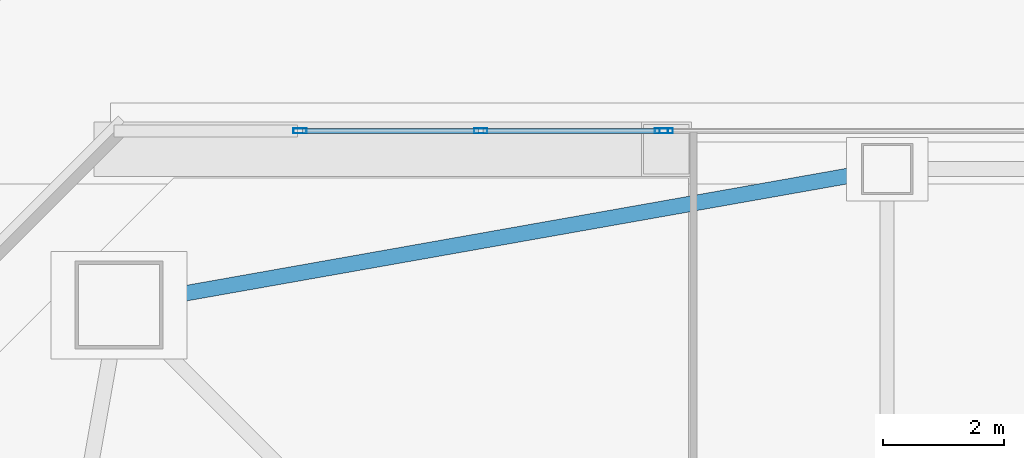
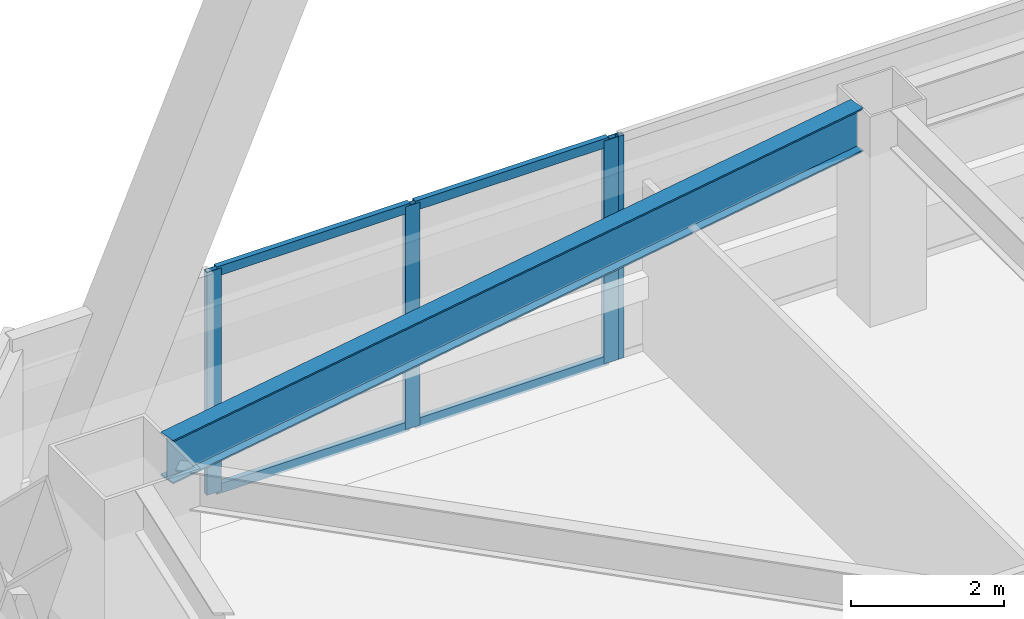
# One storey, part 23 of 67: 8 members, 1 beam, 2 elements without a shape of their own.
"""IFC4 building model written with IfcOpenShell, lengths in metres."""

from ifc_helpers import new_model, si_unit, direction, frame, origin, origin_2d, place, context, subcontext, project, spatial, hollow_rectangle, i_section, extrude, material, material_profile, profile_set, type_object, element, aggregate, save


model = new_model("IFC4")

# Units and contexts
model_context = context("Model", 3, precision=1e-05, world=origin(), true_north=direction((0.0, 1.0)))
body_context = subcontext(model_context, "Body", "Model", "MODEL_VIEW")
ifc_project = project(units=[si_unit("LENGTHUNIT", "METRE"), si_unit("AREAUNIT", "SQUARE_METRE"), si_unit("VOLUMEUNIT", "CUBIC_METRE"), si_unit("PLANEANGLEUNIT", "RADIAN"), si_unit("MASSUNIT", "GRAM", prefix="KILO")], contexts=[model_context])

# Site, building, storey
site_placement = place(None, origin())
site = spatial("IfcSite", under=ifc_project, at=site_placement, CompositionType="ELEMENT")
building_placement = place(site_placement, origin())
building = spatial("IfcBuilding", under=site, at=building_placement, Name="Tashvorn Skyway Center", CompositionType="ELEMENT")
storey_placement = place(building_placement, frame((0.0, 0.0, 67.199951171875)))
storey = spatial("IfcBuildingStorey", under=building, at=storey_placement, Name="L17", CompositionType="ELEMENT", Elevation=67.199951171875)

# Beam
ifc_material_1 = material(Name="Steel ASTM A992 Grade 50", Category="steel")
ifc_material_profile_1 = material_profile(ifc_material_1, i_section(OverallWidth=0.256103515625, OverallDepth=0.693115234375, WebThickness=0.014404296875, FlangeThickness=0.023681640625, at=origin_2d()), Name="W27X114")
ifc_profile_set_1 = profile_set([ifc_material_profile_1], Name="Steel ASTM A992 Grade 50")
beam_type = type_object("IfcBeamType", Name="BM-SPANDREL-W27X114", PredefinedType="SPANDREL", material=ifc_profile_set_1)
beam_placement = place(storey_placement, frame((36.1865234375, 52.276611328125, 3.003662109375), z_axis=(-0.98466816531, -0.174437966698, 0.0), x_axis=(0.174437966698, -0.98466816531, 0.0)))
element("IfcBeam", 1, at=beam_placement, inside=storey, type_object=beam_type, Name="Tower 1 L17 Spandrel Beam 09", PredefinedType="SPANDREL", context=body_context, shape_type="SweptSolid", body=[
    extrude(i_section(OverallWidth=0.256103515625, OverallDepth=0.693115234375, WebThickness=0.014404296875, FlangeThickness=0.023681640625, at=origin_2d()), origin(), (0.0, 0.0, 1.0), 11.7578125),
])

# Curtain wall, members
ifc_material_2 = material(Name="Thermally broken bronze-anodized aluminium 6063-T6", Category="aluminium")
curtain_wall_type = type_object("IfcCurtainWallType", Name="CW-CW-Z2", PredefinedType="NOTDEFINED", material=ifc_material_2)
curtain_wall_1_placement = place(storey_placement, origin())
curtain_wall_1 = element("IfcCurtainWall", 2, at=curtain_wall_1_placement, inside=storey, type_object=curtain_wall_type, Name="Tower 1 L17 North Unitised Curtain Wall Glazing Group 1", PredefinedType="NOTDEFINED")
ifc_material_profile_2 = material_profile(ifc_material_2, hollow_rectangle(XDim=0.080078125, YDim=0.219970703125, WallThickness=0.0048828125, at=origin_2d()), Name="ALU-MULL-80x220")
ifc_profile_set_2 = profile_set([ifc_material_profile_2], Name="Thermally broken bronze-anodized aluminium 6063-T6")
member_type_1 = type_object("IfcMemberType", Name="CWM-CW-Z2", PredefinedType="MULLION", material=ifc_profile_set_2)
member_1_placement = place(storey_placement, frame((26.889892578125, 52.97998046875, 0.0), z_axis=(0.0, 0.0, 1.0), x_axis=(0.0, 1.0, 0.0)))
member_1 = element("IfcMember", 3, at=member_1_placement, type_object=member_type_1, Name="CW-Z2 mullion 1", PredefinedType="MULLION", context=body_context, shape_type="SweptSolid", body=[
    extrude(hollow_rectangle(XDim=0.080078125, YDim=0.219970703125, WallThickness=0.0048828125, at=origin_2d()), origin(), (0.0, 0.0, 1.0), 3.550048828125),
])
member_2_placement = place(storey_placement, frame((29.8798828125, 52.97998046875, 0.0), z_axis=(0.0, 0.0, 1.0), x_axis=(0.0, 1.0, 0.0)))
member_2 = element("IfcMember", 4, at=member_2_placement, type_object=member_type_1, Name="CW-Z2 mullion 2", PredefinedType="MULLION", context=body_context, shape_type="SweptSolid", body=[
    extrude(hollow_rectangle(XDim=0.080078125, YDim=0.219970703125, WallThickness=0.0048828125, at=origin_2d()), origin(), (0.0, 0.0, 1.0), 3.550048828125),
])
member_3_placement = place(storey_placement, frame((32.8701171875, 52.97998046875, 0.0), z_axis=(0.0, 0.0, 1.0), x_axis=(0.0, 1.0, 0.0)))
member_3 = element("IfcMember", 5, at=member_3_placement, type_object=member_type_1, Name="CW-Z2 mullion 3", PredefinedType="MULLION", context=body_context, shape_type="SweptSolid", body=[
    extrude(hollow_rectangle(XDim=0.080078125, YDim=0.219970703125, WallThickness=0.0048828125, at=origin_2d()), origin(), (0.0, 0.0, 1.0), 3.550048828125),
])

# Curtain wall, member
curtain_wall_2_placement = place(storey_placement, origin())
curtain_wall_2 = element("IfcCurtainWall", 6, at=curtain_wall_2_placement, inside=storey, type_object=curtain_wall_type, Name="Tower 1 L17 North Unitised Curtain Wall Glazing Group 2", PredefinedType="NOTDEFINED")
member_4_placement = place(storey_placement, frame((32.949951171875, 52.97998046875, 0.0), z_axis=(0.0, 0.0, 1.0), x_axis=(0.0, 1.0, 0.0)))
member_4 = element("IfcMember", 7, at=member_4_placement, type_object=member_type_1, Name="CW-Z2 mullion 1", PredefinedType="MULLION", context=body_context, shape_type="SweptSolid", body=[
    extrude(hollow_rectangle(XDim=0.080078125, YDim=0.219970703125, WallThickness=0.0048828125, at=origin_2d()), origin(), (0.0, 0.0, 1.0), 3.550048828125),
])
aggregate(curtain_wall_2, [member_4])

# Member
ifc_material_profile_3 = material_profile(ifc_material_2, hollow_rectangle(XDim=0.080078125, YDim=0.14990234375, WallThickness=0.00439453125, at=origin_2d()), Name="ALU-TRAN-80x150")
ifc_profile_set_3 = profile_set([ifc_material_profile_3], Name="Thermally broken bronze-anodized aluminium 6063-T6")
member_type_2 = type_object("IfcMemberType", Name="CWT-CW-Z2", PredefinedType="USERDEFINED", material=ifc_profile_set_3)
member_5_placement = place(storey_placement, frame((26.929931640625, 52.97998046875, 0.0400390625), z_axis=(1.0, 0.0, 0.0), x_axis=(0.0, 1.0, 0.0)))
member_5 = element("IfcMember", 8, at=member_5_placement, type_object=member_type_2, Name="CW-Z2 transom 1.1", ObjectType="TRANSOM", PredefinedType="USERDEFINED", context=body_context, shape_type="SweptSolid", body=[
    extrude(hollow_rectangle(XDim=0.080078125, YDim=0.14990234375, WallThickness=0.00439453125, at=origin_2d()), origin(), (0.0, 0.0, 1.0), 2.91015625),
])

member_6_placement = place(storey_placement, frame((26.929931640625, 52.97998046875, 3.510009765625), z_axis=(1.0, 0.0, 0.0), x_axis=(0.0, 1.0, 0.0)))
member_6 = element("IfcMember", 9, at=member_6_placement, type_object=member_type_2, Name="CW-Z2 transom 1.2", ObjectType="TRANSOM", PredefinedType="USERDEFINED", context=body_context, shape_type="SweptSolid", body=[
    extrude(hollow_rectangle(XDim=0.080078125, YDim=0.14990234375, WallThickness=0.00439453125, at=origin_2d()), origin(), (0.0, 0.0, 1.0), 2.91015625),
])

member_7_placement = place(storey_placement, frame((29.919921875, 52.97998046875, 0.0400390625), z_axis=(1.0, 0.0, 0.0), x_axis=(0.0, 1.0, 0.0)))
member_7 = element("IfcMember", 10, at=member_7_placement, type_object=member_type_2, Name="CW-Z2 transom 2.1", ObjectType="TRANSOM", PredefinedType="USERDEFINED", context=body_context, shape_type="SweptSolid", body=[
    extrude(hollow_rectangle(XDim=0.080078125, YDim=0.14990234375, WallThickness=0.00439453125, at=origin_2d()), origin(), (0.0, 0.0, 1.0), 2.91015625),
])

member_8_placement = place(storey_placement, frame((29.919921875, 52.97998046875, 3.510009765625), z_axis=(1.0, 0.0, 0.0), x_axis=(0.0, 1.0, 0.0)))
member_8 = element("IfcMember", 11, at=member_8_placement, type_object=member_type_2, Name="CW-Z2 transom 2.2", ObjectType="TRANSOM", PredefinedType="USERDEFINED", context=body_context, shape_type="SweptSolid", body=[
    extrude(hollow_rectangle(XDim=0.080078125, YDim=0.14990234375, WallThickness=0.00439453125, at=origin_2d()), origin(), (0.0, 0.0, 1.0), 2.91015625),
])

aggregate(curtain_wall_1, [member_1, member_2, member_3, member_5, member_6, member_7, member_8])

save(model, "model.ifc")
